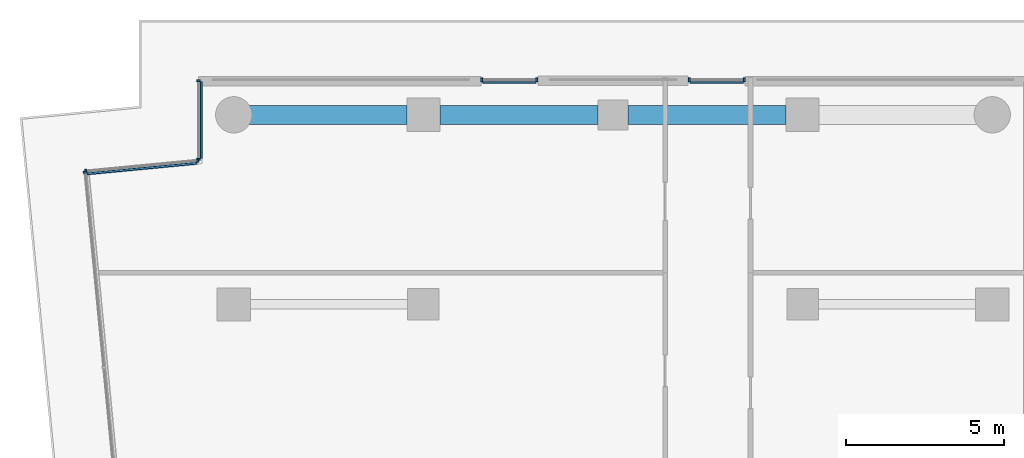
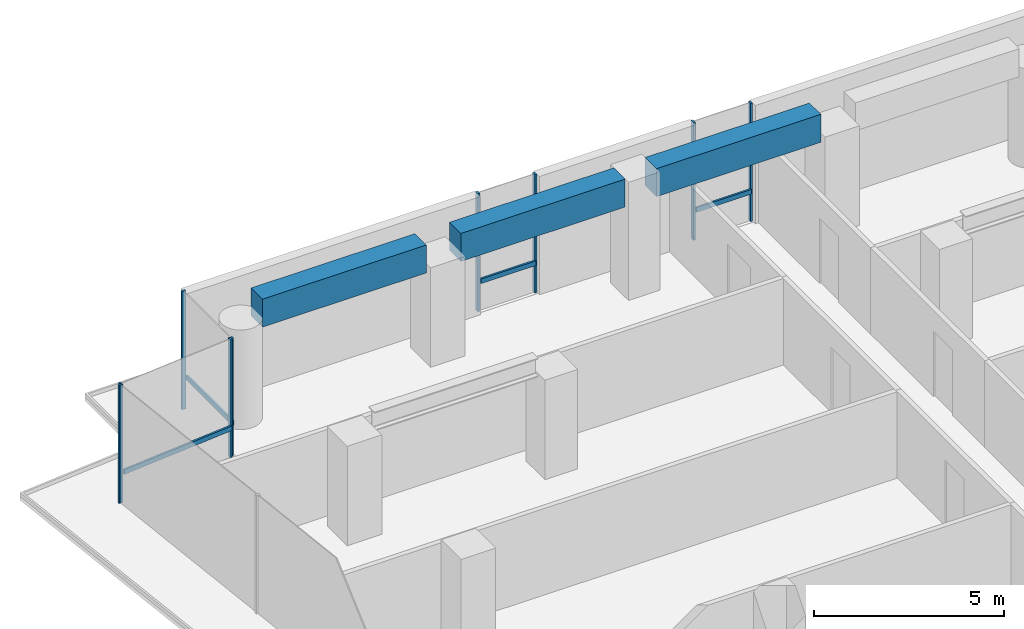
# One storey, part 21 of 30: 13 members, 3 beams, 5 elements without a shape of their own.
"""IFC4 building model written with IfcOpenShell, lengths in metres."""

from ifc_helpers import new_model, si_unit, direction, frame, origin, origin_2d, place, context, subcontext, project, spatial, rectangle, extrude, material, layer, layer_set, material_profile, profile_set, type_object, element, aggregate, save


model = new_model("IFC4")

# Units and contexts
model_context = context("Model", 3, precision=1e-05, world=origin(), true_north=direction((0.0, 1.0)))
body_context = subcontext(model_context, "Body", "Model", "MODEL_VIEW")
ifc_project = project(units=[si_unit("LENGTHUNIT", "METRE"), si_unit("AREAUNIT", "SQUARE_METRE"), si_unit("VOLUMEUNIT", "CUBIC_METRE"), si_unit("PLANEANGLEUNIT", "RADIAN"), si_unit("MASSUNIT", "GRAM", prefix="KILO")], contexts=[model_context])

# Site, building, storey
site_placement = place(None, origin())
site = spatial("IfcSite", under=ifc_project, at=site_placement, CompositionType="ELEMENT")
building_placement = place(site_placement, origin())
building = spatial("IfcBuilding", under=site, at=building_placement, Name="Welwitschia Terrace Campus", CompositionType="ELEMENT")
storey_placement = place(building_placement, frame((0.0, 0.0, 75.199951171875)))
storey = spatial("IfcBuildingStorey", under=building, at=storey_placement, Name="L17", CompositionType="ELEMENT", Elevation=75.199951171875)

# Curtain wall, members
ifc_material_1 = material(Name="Bronze anodised aluminium", Category="aluminium")
ifc_layer = layer(ifc_material_1, 0.1201171875)
ifc_layer_set = layer_set([ifc_layer], Name="Bronze anodised aluminium")
curtain_wall_type = type_object("IfcCurtainWallType", Name="Curtain wall CW2 tower 6000", PredefinedType="NOTDEFINED", material=ifc_layer_set)
curtain_wall_1_placement = place(storey_placement, origin())
curtain_wall_1 = element("IfcCurtainWall", 1, at=curtain_wall_1_placement, inside=storey, type_object=curtain_wall_type, Name="CW L17.13.S0", PredefinedType="NOTDEFINED")
ifc_material_2 = material(Name="Bronze anodised aluminium", Category="aluminium")
ifc_material_profile_1 = material_profile(ifc_material_2, rectangle(XDim=0.1201171875, YDim=0.06005859375, at=origin_2d()))
ifc_profile_set_1 = profile_set([ifc_material_profile_1], Name="Bronze anodised aluminium")
member_type_1 = type_object("IfcMemberType", Name="Mullion 60x120", PredefinedType="MULLION", material=ifc_profile_set_1)
member_1_placement = place(storey_placement, frame((16.1484375, 63.114013671875, 0.0), z_axis=(0.0, 0.0, 1.0), x_axis=(0.0, -1.0, 0.0)))
member_1 = element("IfcMember", 2, at=member_1_placement, type_object=member_type_1, Name="Mullion L17.13.S0.0", PredefinedType="MULLION", context=body_context, shape_type="SweptSolid", body=[
    extrude(rectangle(XDim=0.1201171875, YDim=0.06005859375, at=origin_2d()), origin(), (0.0, 0.0, 1.0), 3.800048828125),
])
member_2_placement = place(storey_placement, frame((14.408447265625, 63.114013671875, 0.0), z_axis=(0.0, 0.0, 1.0), x_axis=(0.0, -1.0, 0.0)))
member_2 = element("IfcMember", 3, at=member_2_placement, type_object=member_type_1, Name="Mullion L17.13.S0.1", PredefinedType="MULLION", context=body_context, shape_type="SweptSolid", body=[
    extrude(rectangle(XDim=0.1201171875, YDim=0.06005859375, at=origin_2d()), origin(), (0.0, 0.0, 1.0), 3.800048828125),
])

curtain_wall_2_placement = place(storey_placement, origin())
curtain_wall_2 = element("IfcCurtainWall", 4, at=curtain_wall_2_placement, inside=storey, type_object=curtain_wall_type, Name="CW L17.13.S1", PredefinedType="NOTDEFINED")
member_3_placement = place(storey_placement, frame((9.591552734375, 63.114013671875, 0.0), z_axis=(0.0, 0.0, 1.0), x_axis=(0.0, -1.0, 0.0)))
member_3 = element("IfcMember", 5, at=member_3_placement, type_object=member_type_1, Name="Mullion L17.13.S1.0", PredefinedType="MULLION", context=body_context, shape_type="SweptSolid", body=[
    extrude(rectangle(XDim=0.1201171875, YDim=0.06005859375, at=origin_2d()), origin(), (0.0, 0.0, 1.0), 3.800048828125),
])
member_4_placement = place(storey_placement, frame((7.8515625, 63.114013671875, 0.0), z_axis=(0.0, 0.0, 1.0), x_axis=(0.0, -1.0, 0.0)))
member_4 = element("IfcMember", 6, at=member_4_placement, type_object=member_type_1, Name="Mullion L17.13.S1.1", PredefinedType="MULLION", context=body_context, shape_type="SweptSolid", body=[
    extrude(rectangle(XDim=0.1201171875, YDim=0.06005859375, at=origin_2d()), origin(), (0.0, 0.0, 1.0), 3.800048828125),
])

curtain_wall_3_placement = place(storey_placement, origin())
curtain_wall_3 = element("IfcCurtainWall", 7, at=curtain_wall_3_placement, inside=storey, type_object=curtain_wall_type, Name="CW L17.14.0", PredefinedType="NOTDEFINED")
member_5_placement = place(storey_placement, frame((-1.114013671875, 63.083984375, 0.0), z_axis=(0.0, 0.0, 1.0), x_axis=(1.0, 0.0, 0.0)))
member_5 = element("IfcMember", 8, at=member_5_placement, type_object=member_type_1, Name="Mullion L17.14.0.0", PredefinedType="MULLION", context=body_context, shape_type="SweptSolid", body=[
    extrude(rectangle(XDim=0.1201171875, YDim=0.06005859375, at=origin_2d()), origin(), (0.0, 0.0, 1.0), 3.800048828125),
])
member_6_placement = place(storey_placement, frame((-1.114013671875, 60.590576171875, 0.0), z_axis=(0.0, 0.0, 1.0), x_axis=(1.0, 0.0, 0.0)))
member_6 = element("IfcMember", 9, at=member_6_placement, type_object=member_type_1, Name="Mullion L17.14.0.1", PredefinedType="MULLION", context=body_context, shape_type="SweptSolid", body=[
    extrude(rectangle(XDim=0.1201171875, YDim=0.06005859375, at=origin_2d()), origin(), (0.0, 0.0, 1.0), 3.800048828125),
])

curtain_wall_4_placement = place(storey_placement, origin())
curtain_wall_4 = element("IfcCurtainWall", 10, at=curtain_wall_4_placement, inside=storey, type_object=curtain_wall_type, Name="CW L17.15.0", PredefinedType="NOTDEFINED")
member_7_placement = place(storey_placement, frame((-1.143798828125, 60.557861328125, 0.0), z_axis=(0.0, 0.0, 1.0), x_axis=(0.09584575252, -0.995396198367, 0.0)))
member_7 = element("IfcMember", 11, at=member_7_placement, type_object=member_type_1, Name="Mullion L17.15.0.0", PredefinedType="MULLION", context=body_context, shape_type="SweptSolid", body=[
    extrude(rectangle(XDim=0.1201171875, YDim=0.06005859375, at=origin_2d()), origin(), (0.0, 0.0, 1.0), 3.800048828125),
])
member_8_placement = place(storey_placement, frame((-4.675048828125, 60.2177734375, 0.0), z_axis=(0.0, 0.0, 1.0), x_axis=(0.09584575252, -0.995396198367, 0.0)))
member_8 = element("IfcMember", 12, at=member_8_placement, type_object=member_type_1, Name="Mullion L17.15.0.1", PredefinedType="MULLION", context=body_context, shape_type="SweptSolid", body=[
    extrude(rectangle(XDim=0.1201171875, YDim=0.06005859375, at=origin_2d()), origin(), (0.0, 0.0, 1.0), 3.800048828125),
])

# Curtain wall, member
curtain_wall_5_placement = place(storey_placement, origin())
curtain_wall_5 = element("IfcCurtainWall", 13, at=curtain_wall_5_placement, inside=storey, type_object=curtain_wall_type, Name="CW L17.16.0", PredefinedType="NOTDEFINED")
member_9_placement = place(storey_placement, frame((-4.7021484375, 60.18505859375, 0.0), z_axis=(0.0, 0.0, 1.0), x_axis=(0.995396198367, 0.09584575252, 0.0)))
member_9 = element("IfcMember", 14, at=member_9_placement, type_object=member_type_1, Name="Mullion L17.16.0.0", PredefinedType="MULLION", context=body_context, shape_type="SweptSolid", body=[
    extrude(rectangle(XDim=0.1201171875, YDim=0.06005859375, at=origin_2d()), origin(), (0.0, 0.0, 1.0), 3.800048828125),
])
aggregate(curtain_wall_5, [member_9])

# Beams
ifc_material_3 = material(Name="Concrete C60/75", Category="concrete")
ifc_material_profile_2 = material_profile(ifc_material_3, rectangle(XDim=0.60009765625, YDim=0.89990234375, at=origin_2d()))
ifc_profile_set_2 = profile_set([ifc_material_profile_2], Name="Concrete C60/75")
beam_type = type_object("IfcBeamType", Name="Ring spandrel 600x900", PredefinedType="SPANDREL", material=ifc_profile_set_2)
for number, where, z_axis, x_axis, name in (
    (15, (17.474609375, 62.0, 3.35009765625), (-1.0, 0.0, 0.0), (0.0, -1.0, 0.0), "Spandrel SP2"),
    (16, (11.5244140625, 62.0, 3.35009765625), (-1.0, 0.0, 0.0), (0.0, -1.0, 0.0), "Spandrel SP2"),
):
    element("IfcBeam", number, at=place(storey_placement, frame(where, z_axis=z_axis, x_axis=x_axis)), inside=storey, type_object=beam_type, Name=name, PredefinedType="SPANDREL", context=body_context, shape_type="SweptSolid", body=[
        extrude(rectangle(XDim=0.60009765625, YDim=0.89990234375, at=origin_2d()), origin(), (0.0, 0.0, 1.0), 4.9990234375),
    ])
beam_placement = place(storey_placement, frame((5.474609375, 62.0, 3.35009765625), z_axis=(-1.0, 0.0, 0.0), x_axis=(0.0, -1.0, 0.0)))
element("IfcBeam", 17, at=beam_placement, inside=storey, type_object=beam_type, Name="Spandrel SP2", PredefinedType="SPANDREL", context=body_context, shape_type="SweptSolid", body=[
    extrude(rectangle(XDim=0.60009765625, YDim=0.89990234375, at=origin_2d()), origin(), (0.0, 0.0, 1.0), 4.983154296875),
])

# Member
ifc_material_4 = material(Name="Bronze anodised aluminium", Category="aluminium")
ifc_material_profile_3 = material_profile(ifc_material_4, rectangle(XDim=0.06005859375, YDim=0.14990234375, at=origin_2d()))
ifc_profile_set_3 = profile_set([ifc_material_profile_3], Name="Bronze anodised aluminium")
member_type_2 = type_object("IfcMemberType", Name="Transom 60x150", PredefinedType="USERDEFINED", material=ifc_profile_set_3)
member_10_placement = place(storey_placement, frame((16.118408203125, 63.02392578125, 1.0), z_axis=(-1.0, 0.0, 0.0), x_axis=(0.0, -1.0, 0.0)))
member_10 = element("IfcMember", 18, at=member_10_placement, type_object=member_type_2, Name="Transom L17.13.S0", ObjectType="TRANSOM", PredefinedType="USERDEFINED", context=body_context, shape_type="SweptSolid", body=[
    extrude(rectangle(XDim=0.06005859375, YDim=0.14990234375, at=origin_2d()), origin(), (0.0, 0.0, 1.0), 1.679931640625),
])

aggregate(curtain_wall_1, [member_1, member_2, member_10])

member_11_placement = place(storey_placement, frame((9.5615234375, 63.02392578125, 1.0), z_axis=(-1.0, 0.0, 0.0), x_axis=(0.0, -1.0, 0.0)))
member_11 = element("IfcMember", 19, at=member_11_placement, type_object=member_type_2, Name="Transom L17.13.S1", ObjectType="TRANSOM", PredefinedType="USERDEFINED", context=body_context, shape_type="SweptSolid", body=[
    extrude(rectangle(XDim=0.06005859375, YDim=0.14990234375, at=origin_2d()), origin(), (0.0, 0.0, 1.0), 1.679931640625),
])

aggregate(curtain_wall_2, [member_3, member_4, member_11])

member_12_placement = place(storey_placement, frame((-1.02392578125, 63.053955078125, 1.0), z_axis=(0.0, -1.0, 0.0), x_axis=(1.0, 0.0, 0.0)))
member_12 = element("IfcMember", 20, at=member_12_placement, type_object=member_type_2, Name="Transom L17.14.0", ObjectType="TRANSOM", PredefinedType="USERDEFINED", context=body_context, shape_type="SweptSolid", body=[
    extrude(rectangle(XDim=0.06005859375, YDim=0.14990234375, at=origin_2d()), origin(), (0.0, 0.0, 1.0), 2.433349609375),
])

aggregate(curtain_wall_3, [member_5, member_6, member_12])

member_13_placement = place(storey_placement, frame((-1.1650390625, 60.46533203125, 1.0), z_axis=(-0.99539709312, -0.095836459701, 0.0), x_axis=(0.095836459701, -0.99539709312, 0.0)))
member_13 = element("IfcMember", 21, at=member_13_placement, type_object=member_type_2, Name="Transom L17.15.0", ObjectType="TRANSOM", PredefinedType="USERDEFINED", context=body_context, shape_type="SweptSolid", body=[
    extrude(rectangle(XDim=0.06005859375, YDim=0.14990234375, at=origin_2d()), origin(), (0.0, 0.0, 1.0), 3.487548828125),
])

aggregate(curtain_wall_4, [member_7, member_8, member_13])

save(model, "model.ifc")
